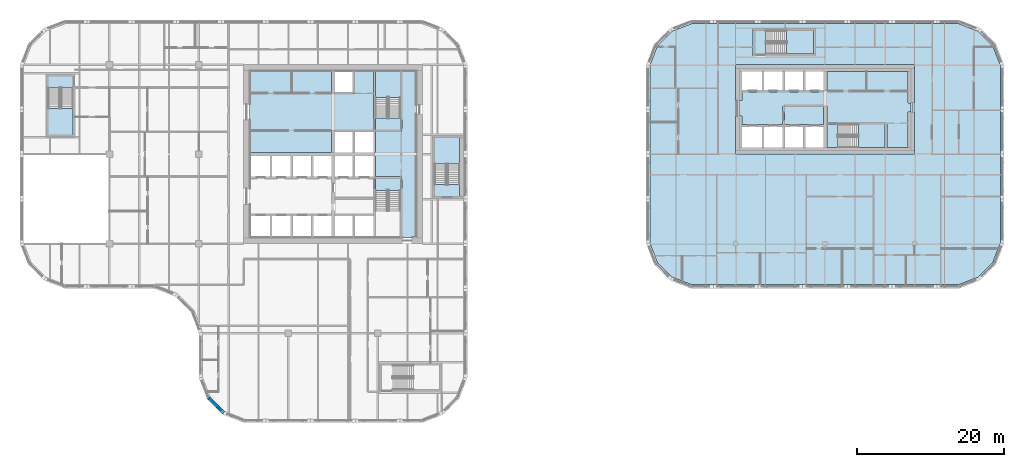
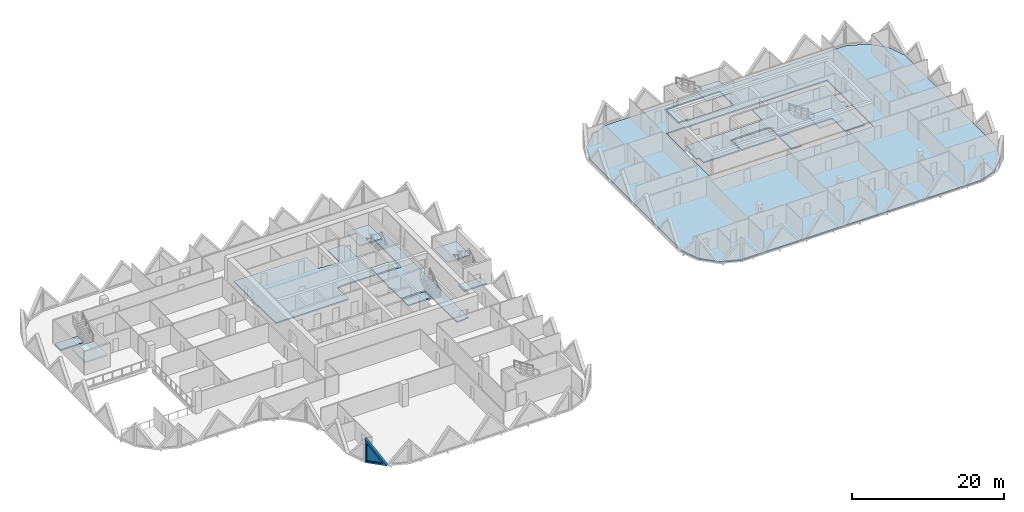
# One storey, part 3 of 19: 16 slabs, 1 plate, 1 wall, 1 opening, 5 elements without a shape of their own.
"""IFC4 building model written with IfcOpenShell, lengths in metres."""

from ifc_helpers import new_model, si_unit, direction, frame, origin, place, context, subcontext, project, spatial, polyline, outline, extrude, faceted_brep, source, transform, mapped, material, layer, layer_set, type_object, element, fill, aggregate, save


model = new_model("IFC4")

# Units and contexts
model_context = context("Model", 3, precision=1e-05, world=origin(), true_north=direction((0.0, 1.0)))
body_context = subcontext(model_context, "Body", "Model", "MODEL_VIEW")
ifc_project = project(units=[si_unit("LENGTHUNIT", "METRE"), si_unit("AREAUNIT", "SQUARE_METRE"), si_unit("VOLUMEUNIT", "CUBIC_METRE"), si_unit("PLANEANGLEUNIT", "RADIAN"), si_unit("MASSUNIT", "GRAM", prefix="KILO")], contexts=[model_context])

# Site, building, storey
site_placement = place(None, origin())
site = spatial("IfcSite", under=ifc_project, at=site_placement, CompositionType="ELEMENT")
building_placement = place(site_placement, origin())
building = spatial("IfcBuilding", under=site, at=building_placement, Name="Tessera Gate Towers", CompositionType="ELEMENT")
storey_placement = place(building_placement, frame((0.0, 0.0, 68.60009765625)))
storey = spatial("IfcBuildingStorey", under=building, at=storey_placement, Name="L16", CompositionType="ELEMENT", Elevation=68.60009765625)

# Slabs
ifc_material_1 = material(Name="Concrete C35/45", Category="concrete")
ifc_layer_1 = layer(ifc_material_1, 0.199951171875)
ifc_layer_set_1 = layer_set([ifc_layer_1], Name="COMPOSITE FLOOR 200")
slab_type_1 = type_object("IfcSlabType", Name="COMPOSITE FLOOR 200", PredefinedType="FLOOR", material=ifc_layer_set_1)
slab_1_placement = place(storey_placement, frame((0.0, 0.0, -0.2001953125)))
element("IfcSlab", 1, at=slab_1_placement, inside=storey, type_object=slab_type_1, Name="T2-L16", PredefinedType="FLOOR", context=body_context, shape_type="SweptSolid", body=[
    extrude(outline(polyline([(85.89990234375, 24.4931640625), (86.926025390625, 21.8330078125), (88.93310546875, 19.826171875), (91.593017578125, 18.800048828125), (128.0068359375, 18.800048828125), (130.6669921875, 19.826171875), (132.673828125, 21.8330078125), (133.699951171875, 24.4931640625), (133.699951171875, 48.706787109375), (132.673828125, 51.366943359375), (130.6669921875, 53.373779296875), (128.0068359375, 54.39990234375), (91.593017578125, 54.39990234375), (88.93310546875, 53.373779296875), (86.926025390625, 51.366943359375), (85.89990234375, 48.706787109375), (85.89990234375, 24.4931640625)]), holes=[polyline([(97.60009765625, 36.60009765625), (97.60009765625, 48.800048828125), (122.0, 48.800048828125), (122.0, 36.60009765625), (97.60009765625, 36.60009765625)]), polyline([(100.0, 50.0), (100.0, 53.699951171875), (108.5, 53.699951171875), (108.5, 50.0), (100.0, 50.0)])]), origin(), (0.0, 0.0, 1.0), 0.2001953125),
])
ifc_material_2 = material(Name="Concrete C35/45", Category="concrete")
ifc_layer_2 = layer(ifc_material_2, 0.199951171875)
ifc_layer_set_2 = layer_set([ifc_layer_2], Name="CORE FLOOR SLAB 200")
slab_type_2 = type_object("IfcSlabType", Name="CORE FLOOR SLAB 200", PredefinedType="FLOOR", material=ifc_layer_set_2)
slab_2_placement = place(storey_placement, frame((0.0, 0.0, -0.2001953125)))
element("IfcSlab", 2, at=slab_2_placement, inside=storey, type_object=slab_type_2, Name="L16 core floor slab", PredefinedType="FLOOR", context=body_context, shape_type="SweptSolid", body=[
    extrude(outline(polyline([(31.39990234375, 47.89990234375), (31.39990234375, 43.39990234375), (31.300048828125, 43.39990234375), (31.300048828125, 41.300048828125), (31.39990234375, 41.300048828125), (31.39990234375, 36.85009765625), (42.449951171875, 36.85009765625), (42.449951171875, 39.800048828125), (42.949951171875, 39.800048828125), (42.949951171875, 39.925048828125), (48.22509765625, 39.925048828125), (48.22509765625, 47.89990234375), (45.64990234375, 47.89990234375), (45.64990234375, 44.89990234375), (45.39990234375, 44.89990234375), (45.39990234375, 44.77490234375), (42.949951171875, 44.77490234375), (42.949951171875, 44.89990234375), (42.449951171875, 44.89990234375), (42.449951171875, 47.89990234375), (31.39990234375, 47.89990234375)])), origin(), (0.0, 0.0, 1.0), 0.2001953125),
])
slab_3_placement = place(storey_placement, frame((0.0, 0.0, -0.2001953125)))
element("IfcSlab", 3, at=slab_3_placement, inside=storey, type_object=slab_type_2, Name="L16 core floor slab", PredefinedType="FLOOR", context=body_context, shape_type="SweptSolid", body=[
    extrude(outline(polyline([(52.199951171875, 25.199951171875), (53.39990234375, 25.199951171875), (53.39990234375, 25.300048828125), (54.0, 25.300048828125), (54.0, 36.320068359375), (54.10009765625, 36.320068359375), (54.10009765625, 36.8798828125), (54.0, 36.8798828125), (54.0, 42.10009765625), (54.10009765625, 42.10009765625), (54.10009765625, 43.300048828125), (54.0, 43.300048828125), (54.0, 47.89990234375), (52.125, 47.89990234375), (52.125, 39.925048828125), (52.0, 39.925048828125), (52.0, 39.675048828125), (48.47509765625, 39.675048828125), (48.47509765625, 36.85009765625), (48.35009765625, 36.85009765625), (48.35009765625, 36.35009765625), (48.47509765625, 36.35009765625), (48.47509765625, 33.52490234375), (52.0, 33.52490234375), (52.0, 33.27490234375), (52.125, 33.27490234375), (52.125, 25.300048828125), (52.199951171875, 25.300048828125), (52.199951171875, 25.199951171875)])), origin(), (0.0, 0.0, 1.0), 0.2001953125),
])
slab_4_placement = place(storey_placement, frame((0.0, 0.0, -0.2001953125)))
element("IfcSlab", 4, at=slab_4_placement, inside=storey, type_object=slab_type_2, Name="L16 core floor slab", PredefinedType="FLOOR", context=body_context, shape_type="SweptSolid", body=[
    extrude(outline(polyline([(51.875, 31.675048828125), (51.875, 33.27490234375), (48.47509765625, 33.27490234375), (48.47509765625, 31.675048828125), (51.875, 31.675048828125)])), origin(), (0.0, 0.0, 1.0), 0.2001953125),
])
slab_5_placement = place(storey_placement, frame((0.0, 0.0, -0.2001953125)))
element("IfcSlab", 5, at=slab_5_placement, inside=storey, type_object=slab_type_2, Name="L16 core floor slab", PredefinedType="FLOOR", context=body_context, shape_type="SweptSolid", body=[
    extrude(outline(polyline([(48.47509765625, 41.52490234375), (48.47509765625, 39.925048828125), (51.875, 39.925048828125), (51.875, 41.52490234375), (48.47509765625, 41.52490234375)])), origin(), (0.0, 0.0, 1.0), 0.2001953125),
])
slab_6_placement = place(storey_placement, frame((0.0, 0.0, -0.2001953125)))
element("IfcSlab", 6, at=slab_6_placement, inside=storey, type_object=slab_type_2, Name="L16 ST3 floor landing", PredefinedType="FLOOR", context=body_context, shape_type="SweptSolid", body=[
    extrude(outline(polyline([(3.85009765625, 47.25), (3.85009765625, 45.64990234375), (7.25, 45.64990234375), (7.25, 47.25), (3.85009765625, 47.25)])), origin(), (0.0, 0.0, 1.0), 0.2001953125),
])
slab_7_placement = place(storey_placement, frame((0.0, 0.0, -0.2001953125)))
element("IfcSlab", 7, at=slab_7_placement, inside=storey, type_object=slab_type_2, Name="L16 ST5 floor landing", PredefinedType="FLOOR", context=body_context, shape_type="SweptSolid", body=[
    extrude(outline(polyline([(59.949951171875, 30.85009765625), (59.949951171875, 32.449951171875), (56.550048828125, 32.449951171875), (56.550048828125, 30.85009765625), (59.949951171875, 30.85009765625)])), origin(), (0.0, 0.0, 1.0), 0.2001953125),
])
slab_8_placement = place(storey_placement, frame((0.0, 0.0, -0.2001953125)))
element("IfcSlab", 8, at=slab_8_placement, inside=storey, type_object=slab_type_2, Name="L16 core floor slab", PredefinedType="FLOOR", context=body_context, shape_type="SweptSolid", body=[
    extrude(outline(polyline([(109.550048828125, 45.199951171875), (109.550048828125, 45.074951171875), (98.5, 45.074951171875), (98.5, 43.89990234375), (98.10009765625, 43.89990234375), (98.10009765625, 41.800048828125), (98.5, 41.800048828125), (98.5, 40.625), (104.02490234375, 40.625), (104.02490234375, 43.199951171875), (104.27490234375, 43.199951171875), (104.27490234375, 43.324951171875), (109.550048828125, 43.324951171875), (109.550048828125, 43.199951171875), (110.050048828125, 43.199951171875), (110.050048828125, 40.949951171875), (118.10009765625, 40.949951171875), (118.10009765625, 40.699951171875), (118.22509765625, 40.699951171875), (118.22509765625, 37.5), (121.10009765625, 37.5), (121.10009765625, 42.35009765625), (121.5, 42.35009765625), (121.5, 43.550048828125), (121.10009765625, 43.550048828125), (121.10009765625, 47.89990234375), (110.050048828125, 47.89990234375), (110.050048828125, 45.199951171875), (109.550048828125, 45.199951171875)])), origin(), (0.0, 0.0, 1.0), 0.2001953125),
])
slab_9_placement = place(storey_placement, frame((0.0, 0.0, -0.2001953125)))
element("IfcSlab", 9, at=slab_9_placement, inside=storey, type_object=slab_type_2, Name="L16 core floor slab", PredefinedType="FLOOR", context=body_context, shape_type="SweptSolid", body=[
    extrude(outline(polyline([(109.550048828125, 43.074951171875), (104.27490234375, 43.074951171875), (104.27490234375, 40.625), (109.550048828125, 40.625), (109.550048828125, 43.074951171875)])), origin(), (0.0, 0.0, 1.0), 0.2001953125),
])
slab_10_placement = place(storey_placement, frame((0.0, 0.0, -0.2001953125)))
element("IfcSlab", 10, at=slab_10_placement, inside=storey, type_object=slab_type_2, Name="L16 core floor slab", PredefinedType="FLOOR", context=body_context, shape_type="SweptSolid", body=[
    extrude(outline(polyline([(111.550048828125, 37.5), (111.550048828125, 40.699951171875), (110.050048828125, 40.699951171875), (110.050048828125, 37.5), (111.550048828125, 37.5)])), origin(), (0.0, 0.0, 1.0), 0.2001953125),
])
slab_11_placement = place(storey_placement, frame((0.0, 0.0, -0.2001953125)))
element("IfcSlab", 11, at=slab_11_placement, inside=storey, type_object=slab_type_2, Name="L16 ST7 floor landing", PredefinedType="FLOOR", context=body_context, shape_type="SweptSolid", body=[
    extrude(outline(polyline([(100.25, 50.25), (101.75, 50.25), (101.75, 53.449951171875), (100.25, 53.449951171875), (100.25, 50.25)])), origin(), (0.0, 0.0, 1.0), 0.2001953125),
])

# Stair, slab
ifc_material_3 = material(Name="Concrete C40/50", Category="concrete")
stair_type_1 = type_object("IfcStairType", Name="EXIT STAIR ST2 1600", PredefinedType="HALF_TURN_STAIR", material=ifc_material_3)
stair_1_placement = place(storey_placement, origin())
stair_1 = element("IfcStair", 12, at=stair_1_placement, inside=storey, type_object=stair_type_1, Name="L16 Protected Exit Stair ST2", PredefinedType="HALF_TURN_STAIR")
ifc_material_4 = material(Name="Concrete C40/50", Category="concrete")
ifc_layer_3 = layer(ifc_material_4, 0.199951171875)
ifc_layer_set_3 = layer_set([ifc_layer_3], Name="EXIT STAIR LANDING 200")
slab_type_3 = type_object("IfcSlabType", Name="EXIT STAIR LANDING 200", PredefinedType="LANDING", material=ifc_layer_set_3)
slab_12_placement = place(storey_placement, frame((0.0, 0.0, 1.699951171875)))
slab_12 = element("IfcSlab", 13, at=slab_12_placement, type_object=slab_type_3, Name="ST2 landing 1", PredefinedType="LANDING", context=body_context, shape_type="SweptSolid", body=[
    extrude(outline(polyline([(51.875, 44.324951171875), (51.875, 47.89990234375), (48.47509765625, 47.89990234375), (48.47509765625, 44.324951171875), (51.875, 44.324951171875)])), origin(), (0.0, 0.0, 1.0), 0.199951171875),
])
aggregate(stair_1, [slab_12])

ifc_material_5 = material(Name="Concrete C40/50", Category="concrete")
stair_type_2 = type_object("IfcStairType", Name="EXIT STAIR ST3 1600", PredefinedType="HALF_TURN_STAIR", material=ifc_material_5)
stair_2_placement = place(storey_placement, origin())
stair_2 = element("IfcStair", 14, at=stair_2_placement, inside=storey, type_object=stair_type_2, Name="L16 West Exit Stair ST3", PredefinedType="HALF_TURN_STAIR")
slab_13_placement = place(storey_placement, frame((0.0, 0.0, 1.699951171875)))
slab_13 = element("IfcSlab", 15, at=slab_13_placement, type_object=slab_type_3, Name="ST3 landing 1", PredefinedType="LANDING", context=body_context, shape_type="SweptSolid", body=[
    extrude(outline(polyline([(3.85009765625, 42.85009765625), (3.85009765625, 39.25), (7.25, 39.25), (7.25, 42.85009765625), (3.85009765625, 42.85009765625)])), origin(), (0.0, 0.0, 1.0), 0.199951171875),
])
aggregate(stair_2, [slab_13])

ifc_material_6 = material(Name="Concrete C40/50", Category="concrete")
stair_type_3 = type_object("IfcStairType", Name="EXIT STAIR ST5 1600", PredefinedType="HALF_TURN_STAIR", material=ifc_material_6)
stair_3_placement = place(storey_placement, origin())
stair_3 = element("IfcStair", 16, at=stair_3_placement, inside=storey, type_object=stair_type_3, Name="L16 East Exit Stair ST5", PredefinedType="HALF_TURN_STAIR")
slab_14_placement = place(storey_placement, frame((0.0, 0.0, 1.699951171875)))
slab_14 = element("IfcSlab", 17, at=slab_14_placement, type_object=slab_type_3, Name="ST5 landing 1", PredefinedType="LANDING", context=body_context, shape_type="SweptSolid", body=[
    extrude(outline(polyline([(59.949951171875, 35.25), (59.949951171875, 38.85009765625), (56.550048828125, 38.85009765625), (56.550048828125, 35.25), (59.949951171875, 35.25)])), origin(), (0.0, 0.0, 1.0), 0.199951171875),
])
aggregate(stair_3, [slab_14])

ifc_material_7 = material(Name="Concrete C40/50", Category="concrete")
stair_type_4 = type_object("IfcStairType", Name="EXIT STAIR ST6 1500", PredefinedType="HALF_TURN_STAIR", material=ifc_material_7)
stair_4_placement = place(storey_placement, origin())
stair_4 = element("IfcStair", 18, at=stair_4_placement, inside=storey, type_object=stair_type_4, Name="L16 Protected Exit Stair ST6", PredefinedType="HALF_TURN_STAIR")
slab_15_placement = place(storey_placement, frame((0.0, 0.0, 1.699951171875)))
slab_15 = element("IfcSlab", 19, at=slab_15_placement, type_object=slab_type_3, Name="ST6 landing 1", PredefinedType="LANDING", context=body_context, shape_type="SweptSolid", body=[
    extrude(outline(polyline([(114.35009765625, 37.5), (117.97509765625, 37.5), (117.97509765625, 40.699951171875), (114.35009765625, 40.699951171875), (114.35009765625, 37.5)])), origin(), (0.0, 0.0, 1.0), 0.199951171875),
])
aggregate(stair_4, [slab_15])

ifc_material_8 = material(Name="Concrete C40/50", Category="concrete")
stair_type_5 = type_object("IfcStairType", Name="EXIT STAIR ST7 1500", PredefinedType="HALF_TURN_STAIR", material=ifc_material_8)
stair_5_placement = place(storey_placement, origin())
stair_5 = element("IfcStair", 20, at=stair_5_placement, inside=storey, type_object=stair_type_5, Name="L16 North Exit Stair ST7", PredefinedType="HALF_TURN_STAIR")
slab_16_placement = place(storey_placement, frame((0.0, 0.0, 1.699951171875)))
slab_16 = element("IfcSlab", 21, at=slab_16_placement, type_object=slab_type_3, Name="ST7 landing 1", PredefinedType="LANDING", context=body_context, shape_type="SweptSolid", body=[
    extrude(outline(polyline([(104.550048828125, 50.25), (108.25, 50.25), (108.25, 53.449951171875), (104.550048828125, 53.449951171875), (104.550048828125, 50.25)])), origin(), (0.0, 0.0, 1.0), 0.199951171875),
])
aggregate(stair_5, [slab_16])

# Wall, opening, plate
ifc_material_9 = material(Name="Precast concrete C60/75 white", Category="concrete")
ifc_layer_4 = layer(ifc_material_9, 0.5)
ifc_layer_set_4 = layer_set([ifc_layer_4], Name="TS3 corner tessera")
wall_type = type_object("IfcWallType", Name="TS3 corner tessera", PredefinedType="SOLIDWALL", material=ifc_layer_set_4)
shared_shape_1 = source(origin(), body_context, "Body", "Brep", [
    faceted_brep([(2.9970703125, -0.25, 0.0), (0.052978515625, -0.25, 3.7998046875), (0.0, -0.25, 3.731689453125), (0.0, -0.25, 0.0), (0.10595703125, 0.25, 3.7314453125), (2.944091796875, 0.25, 0.068115234375), (2.944091796875, 0.25, 0.0), (0.10595703125, 0.25, 0.0), (0.052978515625, 0.0, 3.7998046875), (2.9970703125, 0.000244140625, 0.0)], [[[0, 1, 2, 3]], [[4, 5, 6, 7]], [[5, 4, 8, 1, 0, 9]], [[2, 1, 8]], [[7, 6, 9, 0, 3]], [[7, 3, 2, 8, 4]], [[9, 6, 5]]]),
])
wall_placement = place(storey_placement, frame((25.674560546875, 3.43115234375, 0.0), z_axis=(0.0, 0.0, 1.0), x_axis=(0.707106781187, -0.707106781187, 0.0)))
wall = element("IfcWall", 22, at=wall_placement, inside=storey, type_object=wall_type, Name="Precast corner tessera T1 TS3-0360", PredefinedType="SOLIDWALL", context=body_context, shape_type="MappedRepresentation", body=[
    mapped(shared_shape_1, transform((0.0, 0.0, 0.0), scale=1.0)),
])
shared_shape_2 = source(origin(), body_context, "Body", "SweptSolid", [
    extrude(outline(polyline([(2.487060546875, 0.25), (0.2529296875, 3.133544921875), (0.2529296875, 0.25), (2.487060546875, 0.25)])), frame((0.0, 0.260009765625, 0.0), z_axis=(0.0, -1.0, 0.0), x_axis=(1.0, 0.0, 0.0)), (0.0, 0.0, 1.0), 0.52001953125),
])
opening_placement = place(wall_placement, origin())
opening = element("IfcOpeningElement", 23, at=opening_placement, cuts=wall, Name="Opening T1-PL1-0234", PredefinedType="OPENING", context=body_context, shape_type="MappedRepresentation", body=[
    mapped(shared_shape_2, transform((0.0, 0.0, 0.0), scale=1.0)),
])
ifc_material_10 = material(Name="Low-e laminated glass", Category="glass")
ifc_layer_5 = layer(ifc_material_10, 0.06005859375)
ifc_layer_set_5 = layer_set([ifc_layer_5], Name="PL1 triangular pane")
plate_type = type_object("IfcPlateType", Name="PL1 triangular pane", PredefinedType="SHEET", material=ifc_layer_set_5)
shared_shape_3 = source(origin(), body_context, "Body", "SweptSolid", [
    extrude(outline(polyline([(2.487060546875, 0.25), (0.2529296875, 3.133544921875), (0.2529296875, 0.25), (2.487060546875, 0.25)])), frame((0.0, 0.030029296875, 0.0), z_axis=(0.0, -1.0, 0.0), x_axis=(1.0, 0.0, 0.0)), (0.0, 0.0, 1.0), 0.06005859375),
])
plate_placement = place(opening_placement, origin())
plate = element("IfcPlate", 24, at=plate_placement, inside=storey, type_object=plate_type, Name="Glass pane T1 PL1-0234", PredefinedType="SHEET", context=body_context, shape_type="MappedRepresentation", body=[
    mapped(shared_shape_3, transform((0.0, 0.0, 0.0), scale=1.0)),
])
fill(opening, plate)

save(model, "model.ifc")
